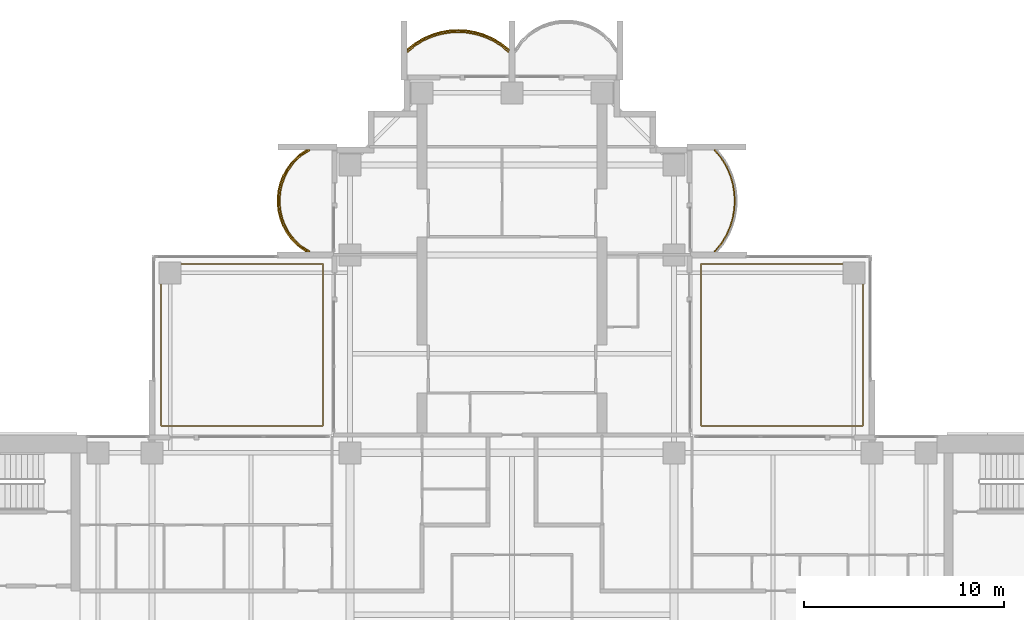
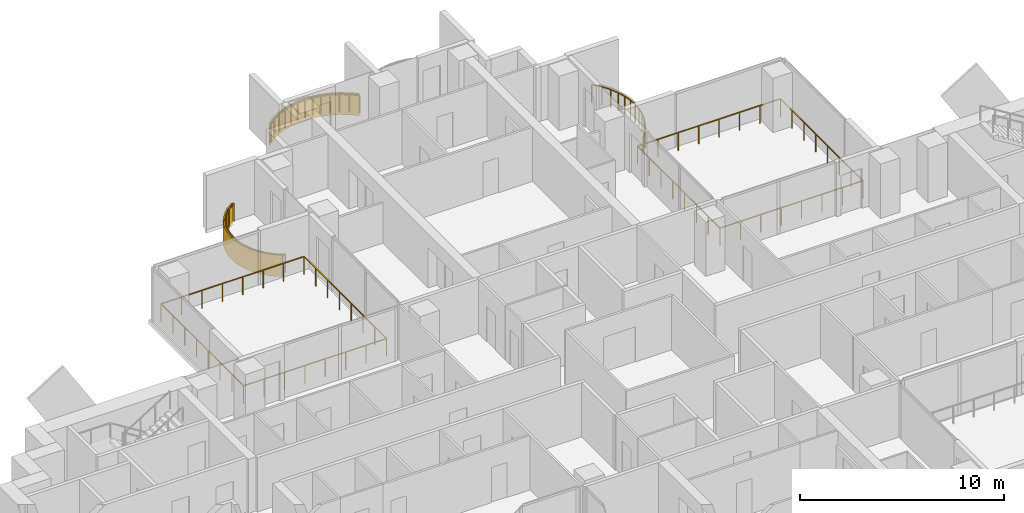
# One storey, part 18 of 19: 5 railings, 2 coverings.
"""IFC4 building model written with IfcOpenShell, lengths in metres."""

from ifc_helpers import new_model, si_unit, direction, frame, origin, origin_2d, place, context, subcontext, project, spatial, polyline, rectangle, outline, extrude, material, layer, layer_set, type_object, element, save


model = new_model("IFC4")

# Units and contexts
model_context = context("Model", 3, precision=1e-05, world=origin(), true_north=direction((0.0, 1.0)))
body_context = subcontext(model_context, "Body", "Model", "MODEL_VIEW")
ifc_project = project(units=[si_unit("LENGTHUNIT", "METRE"), si_unit("AREAUNIT", "SQUARE_METRE"), si_unit("VOLUMEUNIT", "CUBIC_METRE"), si_unit("PLANEANGLEUNIT", "RADIAN"), si_unit("MASSUNIT", "GRAM", prefix="KILO")], contexts=[model_context])

# Site, building, storey
site_placement = place(None, origin())
site = spatial("IfcSite", under=ifc_project, at=site_placement, CompositionType="ELEMENT")
building_placement = place(site_placement, origin())
building = spatial("IfcBuilding", under=site, at=building_placement, Name="Perihelion Cross Residences", CompositionType="ELEMENT")
storey_placement = place(building_placement, frame((0.0, 0.0, 137.39990234375)))
storey = spatial("IfcBuildingStorey", under=building, at=storey_placement, Name="L33", CompositionType="ELEMENT", Elevation=137.39990234375)

# Coverings
ifc_material_1 = material(Name="Bronze anodised aluminium", Category="aluminium")
ifc_layer = layer(ifc_material_1, 0.070068359375)
ifc_layer_set = layer_set([ifc_layer], Name="Balcony fascia 1300")
covering_type = type_object("IfcCoveringType", Name="Balcony fascia 1300", PredefinedType="CLADDING", material=ifc_layer_set)
covering_1_placement = place(storey_placement, frame((0.0, 0.0, -0.199951171875)))
element("IfcCovering", 1, at=covering_1_placement, inside=storey, type_object=covering_type, Name="Fascia BF1 L33 north tip north bay 2", PredefinedType="CLADDING", context=body_context, shape_type="SweptSolid", body=[
    extrude(outline(polyline([(-0.53515625, 28.59765625), (-0.96826171875, 28.85498046875), (-1.401123046875, 29.04248046875), (-1.833984375, 29.170654296875), (-2.26708984375, 29.245361328125), (-2.699951171875, 29.27001953125), (-3.133056640625, 29.245361328125), (-3.56591796875, 29.170654296875), (-3.998779296875, 29.04248046875), (-4.431884765625, 28.85498046875), (-4.86474609375, 28.59765625), (-5.25, 28.28955078125), (-5.25, 28.199951171875), (-4.824951171875, 28.5400390625), (-4.39990234375, 28.792724609375), (-3.97509765625, 28.9765625), (-3.550048828125, 29.1025390625), (-3.125, 29.17578125), (-2.699951171875, 29.199951171875), (-2.27490234375, 29.17578125), (-1.85009765625, 29.1025390625), (-1.425048828125, 28.9765625), (-1.0, 28.792724609375), (-0.574951171875, 28.5400390625), (-0.14990234375, 28.199951171875), (-0.14990234375, 28.28955078125), (-0.53515625, 28.59765625)])), origin(), (0.0, 0.0, 1.0), 1.300048828125),
])
covering_2_placement = place(storey_placement, frame((0.0, 0.0, -0.199951171875)))
element("IfcCovering", 2, at=covering_2_placement, inside=storey, type_object=covering_type, Name="Fascia BF1 L33 north side west bay 1", PredefinedType="CLADDING", context=body_context, shape_type="SweptSolid", body=[
    extrude(outline(polyline([(-10.722412109375, 22.963134765625), (-11.060791015625, 22.61474609375), (-11.308837890625, 22.2666015625), (-11.4912109375, 21.91845703125), (-11.620361328125, 21.5703125), (-11.703369140625, 21.22216796875), (-11.743896484375, 20.8740234375), (-11.743896484375, 20.52587890625), (-11.703369140625, 20.177734375), (-11.620361328125, 19.82958984375), (-11.4912109375, 19.4814453125), (-11.308837890625, 19.13330078125), (-11.060791015625, 18.78515625), (-10.722412109375, 18.43701171875), (-10.320556640625, 18.14990234375), (-10.199951171875, 18.14990234375), (-10.6767578125, 18.489990234375), (-11.007080078125, 18.830078125), (-11.2490234375, 19.169921875), (-11.42724609375, 19.510009765625), (-11.553466796875, 19.85009765625), (-11.63427734375, 20.18994140625), (-11.674072265625, 20.530029296875), (-11.674072265625, 20.8701171875), (-11.63427734375, 21.2099609375), (-11.553466796875, 21.550048828125), (-11.42724609375, 21.889892578125), (-11.2490234375, 22.22998046875), (-11.007080078125, 22.570068359375), (-10.6767578125, 22.909912109375), (-10.199951171875, 23.25), (-10.320556640625, 23.25), (-10.722412109375, 22.963134765625)])), origin(), (0.0, 0.0, 1.0), 1.300048828125),
])

# Railings
ifc_material_2 = material(Name="Bronze anodised aluminium", Category="aluminium")
railing_type = type_object("IfcRailingType", Name="Balcony guard 1100", PredefinedType="GUARDRAIL", material=ifc_material_2)
railing_1_placement = place(storey_placement, frame((10.139892578125, 18.175048828125, 0.0)))
element("IfcRailing", 3, at=railing_1_placement, inside=storey, type_object=railing_type, Name="Guard GU1 L33 north side east bay 2 balcony", PredefinedType="GUARDRAIL", context=body_context, shape_type="SweptSolid", body=[
    extrude(rectangle(XDim=0.048095703125, YDim=0.048095703125, at=origin_2d()), frame((0.0, 0.0, 1.076171875), z_axis=(0.647837396648, 0.761778647315, 0.0), x_axis=(-0.761778647315, 0.647837396648, 0.0)), (0.0, 0.0, 1.0), 0.52490234375),
    extrude(rectangle(XDim=0.048095703125, YDim=0.048095703125, at=origin_2d()), frame((0.340087890625, 0.39990234375, 1.076171875), z_axis=(0.511006381501, 0.859576918062, 0.0), x_axis=(-0.859576918062, 0.511006381501, 0.0)), (0.0, 0.0, 1.0), 0.494384765625),
    extrude(rectangle(XDim=0.048095703125, YDim=0.048095703125, at=origin_2d()), frame((0.5927734375, 0.824951171875, 1.076171875), z_axis=(0.397415137459, 0.917638931453, 0.0), x_axis=(-0.917638931453, 0.397415137459, 0.0)), (0.0, 0.0, 1.0), 0.463134765625),
    extrude(rectangle(XDim=0.048095703125, YDim=0.048095703125, at=origin_2d()), frame((0.77685546875, 1.25, 1.076171875), z_axis=(0.283656975924, 0.958925815697, 0.0), x_axis=(-0.958925815697, 0.283656975924, 0.0)), (0.0, 0.0, 1.0), 0.443359375),
    extrude(rectangle(XDim=0.048095703125, YDim=0.048095703125, at=origin_2d()), frame((0.902587890625, 1.675048828125, 1.076171875), z_axis=(0.170456843651, 0.985365142702, 0.0), x_axis=(-0.985365142702, 0.170456843651, 0.0)), (0.0, 0.0, 1.0), 0.43115234375),
    extrude(rectangle(XDim=0.048095703125, YDim=0.048095703125, at=origin_2d()), frame((0.97607421875, 2.099853515625, 1.076171875), z_axis=(0.056200523353, 0.9984195016, 0.0), x_axis=(-0.9984195016, 0.056200523353, 0.0)), (0.0, 0.0, 1.0), 0.42578125),
    extrude(rectangle(XDim=0.048095703125, YDim=0.048095703125, at=origin_2d()), frame((1.0, 2.52490234375, 1.076171875), z_axis=(-0.056200523353, 0.9984195016, 0.0), x_axis=(-0.9984195016, -0.056200523353, 0.0)), (0.0, 0.0, 1.0), 0.42578125),
    extrude(rectangle(XDim=0.048095703125, YDim=0.048095703125, at=origin_2d()), frame((0.97607421875, 2.949951171875, 1.076171875), z_axis=(-0.17036177859, 0.985381583142, 0.0), x_axis=(-0.985381583142, -0.17036177859, 0.0)), (0.0, 0.0, 1.0), 0.431396484375),
    extrude(rectangle(XDim=0.048095703125, YDim=0.048095703125, at=origin_2d()), frame((0.902587890625, 3.375, 1.076171875), z_axis=(-0.283656975924, 0.958925815697, 0.0), x_axis=(-0.958925815697, -0.283656975924, 0.0)), (0.0, 0.0, 1.0), 0.443359375),
    extrude(rectangle(XDim=0.048095703125, YDim=0.048095703125, at=origin_2d()), frame((0.77685546875, 3.800048828125, 1.076171875), z_axis=(-0.397607437634, 0.91755562531, 0.0), x_axis=(-0.91755562531, -0.397607437634, 0.0)), (0.0, 0.0, 1.0), 0.462890625),
    extrude(rectangle(XDim=0.048095703125, YDim=0.048095703125, at=origin_2d()), frame((0.5927734375, 4.224853515625, 1.076171875), z_axis=(-0.511006381501, 0.859576918062, 0.0), x_axis=(-0.859576918062, -0.511006381501, 0.0)), (0.0, 0.0, 1.0), 0.494384765625),
    extrude(rectangle(XDim=0.048095703125, YDim=0.048095703125, at=origin_2d()), frame((0.340087890625, 4.64990234375, 1.076171875), z_axis=(-0.647607934281, 0.761973728849, 0.0), x_axis=(-0.761973728849, -0.647607934281, 0.0)), (0.0, 0.0, 1.0), 0.525146484375),
    extrude(rectangle(XDim=0.0419921875, YDim=0.0419921875, at=origin_2d()), origin(), (0.0, 0.0, 1.0), 1.052001953125),
    extrude(rectangle(XDim=0.0419921875, YDim=0.0419921875, at=origin_2d()), frame((0.340087890625, 0.39990234375, 0.0)), (0.0, 0.0, 1.0), 1.052001953125),
    extrude(rectangle(XDim=0.0419921875, YDim=0.0419921875, at=origin_2d()), frame((0.5927734375, 0.824951171875, 0.0)), (0.0, 0.0, 1.0), 1.052001953125),
    extrude(rectangle(XDim=0.0419921875, YDim=0.0419921875, at=origin_2d()), frame((0.77685546875, 1.25, 0.0)), (0.0, 0.0, 1.0), 1.052001953125),
    extrude(rectangle(XDim=0.0419921875, YDim=0.0419921875, at=origin_2d()), frame((0.902587890625, 1.675048828125, 0.0)), (0.0, 0.0, 1.0), 1.052001953125),
    extrude(rectangle(XDim=0.0419921875, YDim=0.0419921875, at=origin_2d()), frame((0.97607421875, 2.099853515625, 0.0)), (0.0, 0.0, 1.0), 1.052001953125),
    extrude(rectangle(XDim=0.0419921875, YDim=0.0419921875, at=origin_2d()), frame((1.0, 2.52490234375, 0.0)), (0.0, 0.0, 1.0), 1.052001953125),
    extrude(rectangle(XDim=0.0419921875, YDim=0.0419921875, at=origin_2d()), frame((0.97607421875, 2.949951171875, 0.0)), (0.0, 0.0, 1.0), 1.052001953125),
    extrude(rectangle(XDim=0.0419921875, YDim=0.0419921875, at=origin_2d()), frame((0.902587890625, 3.375, 0.0)), (0.0, 0.0, 1.0), 1.052001953125),
    extrude(rectangle(XDim=0.0419921875, YDim=0.0419921875, at=origin_2d()), frame((0.77685546875, 3.800048828125, 0.0)), (0.0, 0.0, 1.0), 1.052001953125),
    extrude(rectangle(XDim=0.0419921875, YDim=0.0419921875, at=origin_2d()), frame((0.5927734375, 4.224853515625, 0.0)), (0.0, 0.0, 1.0), 1.052001953125),
    extrude(rectangle(XDim=0.0419921875, YDim=0.0419921875, at=origin_2d()), frame((0.340087890625, 4.64990234375, 0.0)), (0.0, 0.0, 1.0), 1.052001953125),
    extrude(rectangle(XDim=0.0419921875, YDim=0.0419921875, at=origin_2d()), frame((0.0, 5.050048828125, 0.0)), (0.0, 0.0, 1.0), 1.052001953125),
])
railing_2_placement = place(storey_placement, frame((-0.175048828125, 28.139892578125, 0.0)))
element("IfcRailing", 4, at=railing_2_placement, inside=storey, type_object=railing_type, Name="Guard GU1 L33 north tip north bay 2 balcony", PredefinedType="GUARDRAIL", context=body_context, shape_type="SweptSolid", body=[
    extrude(rectangle(XDim=0.048095703125, YDim=0.048095703125, at=origin_2d()), frame((0.0, 0.0, 1.076171875), z_axis=(-0.761778647315, 0.647837396648, 0.0), x_axis=(-0.647837396648, -0.761778647315, 0.0)), (0.0, 0.0, 1.0), 0.52490234375),
    extrude(rectangle(XDim=0.048095703125, YDim=0.048095703125, at=origin_2d()), frame((-0.39990234375, 0.340087890625, 1.076171875), z_axis=(-0.859576918062, 0.511006381501, 0.0), x_axis=(-0.511006381501, -0.859576918062, 0.0)), (0.0, 0.0, 1.0), 0.494384765625),
    extrude(rectangle(XDim=0.048095703125, YDim=0.048095703125, at=origin_2d()), frame((-0.824951171875, 0.5927734375, 1.076171875), z_axis=(-0.917638931453, 0.397415137459, 0.0), x_axis=(-0.397415137459, -0.917638931453, 0.0)), (0.0, 0.0, 1.0), 0.463134765625),
    extrude(rectangle(XDim=0.048095703125, YDim=0.048095703125, at=origin_2d()), frame((-1.25, 0.77685546875, 1.076171875), z_axis=(-0.958925815697, 0.283656975924, 0.0), x_axis=(-0.283656975924, -0.958925815697, 0.0)), (0.0, 0.0, 1.0), 0.443359375),
    extrude(rectangle(XDim=0.048095703125, YDim=0.048095703125, at=origin_2d()), frame((-1.675048828125, 0.902587890625, 1.076171875), z_axis=(-0.985365142702, 0.170456843651, 0.0), x_axis=(-0.170456843651, -0.985365142702, 0.0)), (0.0, 0.0, 1.0), 0.43115234375),
    extrude(rectangle(XDim=0.048095703125, YDim=0.048095703125, at=origin_2d()), frame((-2.099853515625, 0.97607421875, 1.076171875), z_axis=(-0.9984195016, 0.056200523353, 0.0), x_axis=(-0.056200523353, -0.9984195016, 0.0)), (0.0, 0.0, 1.0), 0.42578125),
    extrude(rectangle(XDim=0.048095703125, YDim=0.048095703125, at=origin_2d()), frame((-2.52490234375, 1.0, 1.076171875), z_axis=(-0.9984195016, -0.056200523353, 0.0), x_axis=(0.056200523353, -0.9984195016, 0.0)), (0.0, 0.0, 1.0), 0.42578125),
    extrude(rectangle(XDim=0.048095703125, YDim=0.048095703125, at=origin_2d()), frame((-2.949951171875, 0.97607421875, 1.076171875), z_axis=(-0.985381583142, -0.17036177859, 0.0), x_axis=(0.17036177859, -0.985381583142, 0.0)), (0.0, 0.0, 1.0), 0.431396484375),
    extrude(rectangle(XDim=0.048095703125, YDim=0.048095703125, at=origin_2d()), frame((-3.375, 0.902587890625, 1.076171875), z_axis=(-0.958925815697, -0.283656975924, 0.0), x_axis=(0.283656975924, -0.958925815697, 0.0)), (0.0, 0.0, 1.0), 0.443359375),
    extrude(rectangle(XDim=0.048095703125, YDim=0.048095703125, at=origin_2d()), frame((-3.800048828125, 0.77685546875, 1.076171875), z_axis=(-0.91755562531, -0.397607437634, 0.0), x_axis=(0.397607437634, -0.91755562531, 0.0)), (0.0, 0.0, 1.0), 0.462890625),
    extrude(rectangle(XDim=0.048095703125, YDim=0.048095703125, at=origin_2d()), frame((-4.224853515625, 0.5927734375, 1.076171875), z_axis=(-0.859576918062, -0.511006381501, 0.0), x_axis=(0.511006381501, -0.859576918062, 0.0)), (0.0, 0.0, 1.0), 0.494384765625),
    extrude(rectangle(XDim=0.048095703125, YDim=0.048095703125, at=origin_2d()), frame((-4.64990234375, 0.340087890625, 1.076171875), z_axis=(-0.761973728849, -0.647607934281, 0.0), x_axis=(0.647607934281, -0.761973728849, 0.0)), (0.0, 0.0, 1.0), 0.525146484375),
    extrude(rectangle(XDim=0.0419921875, YDim=0.0419921875, at=origin_2d()), origin(), (0.0, 0.0, 1.0), 1.052001953125),
    extrude(rectangle(XDim=0.0419921875, YDim=0.0419921875, at=origin_2d()), frame((-0.39990234375, 0.340087890625, 0.0)), (0.0, 0.0, 1.0), 1.052001953125),
    extrude(rectangle(XDim=0.0419921875, YDim=0.0419921875, at=origin_2d()), frame((-0.824951171875, 0.5927734375, 0.0)), (0.0, 0.0, 1.0), 1.052001953125),
    extrude(rectangle(XDim=0.0419921875, YDim=0.0419921875, at=origin_2d()), frame((-1.25, 0.77685546875, 0.0)), (0.0, 0.0, 1.0), 1.052001953125),
    extrude(rectangle(XDim=0.0419921875, YDim=0.0419921875, at=origin_2d()), frame((-1.675048828125, 0.902587890625, 0.0)), (0.0, 0.0, 1.0), 1.052001953125),
    extrude(rectangle(XDim=0.0419921875, YDim=0.0419921875, at=origin_2d()), frame((-2.099853515625, 0.97607421875, 0.0)), (0.0, 0.0, 1.0), 1.052001953125),
    extrude(rectangle(XDim=0.0419921875, YDim=0.0419921875, at=origin_2d()), frame((-2.52490234375, 1.0, 0.0)), (0.0, 0.0, 1.0), 1.052001953125),
    extrude(rectangle(XDim=0.0419921875, YDim=0.0419921875, at=origin_2d()), frame((-2.949951171875, 0.97607421875, 0.0)), (0.0, 0.0, 1.0), 1.052001953125),
    extrude(rectangle(XDim=0.0419921875, YDim=0.0419921875, at=origin_2d()), frame((-3.375, 0.902587890625, 0.0)), (0.0, 0.0, 1.0), 1.052001953125),
    extrude(rectangle(XDim=0.0419921875, YDim=0.0419921875, at=origin_2d()), frame((-3.800048828125, 0.77685546875, 0.0)), (0.0, 0.0, 1.0), 1.052001953125),
    extrude(rectangle(XDim=0.0419921875, YDim=0.0419921875, at=origin_2d()), frame((-4.224853515625, 0.5927734375, 0.0)), (0.0, 0.0, 1.0), 1.052001953125),
    extrude(rectangle(XDim=0.0419921875, YDim=0.0419921875, at=origin_2d()), frame((-4.64990234375, 0.340087890625, 0.0)), (0.0, 0.0, 1.0), 1.052001953125),
    extrude(rectangle(XDim=0.0419921875, YDim=0.0419921875, at=origin_2d()), frame((-5.050048828125, 0.0, 0.0)), (0.0, 0.0, 1.0), 1.052001953125),
])
railing_3_placement = place(storey_placement, frame((-10.139892578125, 23.22509765625, 0.0)))
element("IfcRailing", 5, at=railing_3_placement, inside=storey, type_object=railing_type, Name="Guard GU1 L33 north side west bay 1 balcony", PredefinedType="GUARDRAIL", context=body_context, shape_type="SweptSolid", body=[
    extrude(rectangle(XDim=0.048095703125, YDim=0.048095703125, at=origin_2d()), frame((0.0, 0.0, 1.076171875), z_axis=(-0.834212513801, -0.55144309028, 0.0), x_axis=(0.55144309028, -0.834212513801, 0.0)), (0.0, 0.0, 1.0), 0.571533203125),
    extrude(rectangle(XDim=0.048095703125, YDim=0.048095703125, at=origin_2d()), frame((-0.476806640625, -0.315185546875, 1.076171875), z_axis=(-0.696990112603, -0.717080736691, 0.0), x_axis=(0.717080736691, -0.696990112603, 0.0)), (0.0, 0.0, 1.0), 0.473876953125),
    extrude(rectangle(XDim=0.048095703125, YDim=0.048095703125, at=origin_2d()), frame((-0.80712890625, -0.655029296875, 1.076171875), z_axis=(-0.580075995532, -0.814562360662, 0.0), x_axis=(0.814562360662, -0.580075995532, 0.0)), (0.0, 0.0, 1.0), 0.41748046875),
    extrude(rectangle(XDim=0.048095703125, YDim=0.048095703125, at=origin_2d()), frame((-1.04931640625, -0.9951171875, 1.076171875), z_axis=(-0.463674228502, -0.886005761733, 0.0), x_axis=(0.886005761733, -0.463674228502, 0.0)), (0.0, 0.0, 1.0), 0.3837890625),
    extrude(rectangle(XDim=0.048095703125, YDim=0.048095703125, at=origin_2d()), frame((-1.227294921875, -1.335205078125, 1.076171875), z_axis=(-0.348169621027, -0.937431552165, 0.0), x_axis=(0.937431552165, -0.348169621027, 0.0)), (0.0, 0.0, 1.0), 0.362548828125),
    extrude(rectangle(XDim=0.048095703125, YDim=0.048095703125, at=origin_2d()), frame((-1.353515625, -1.675048828125, 1.076171875), z_axis=(-0.231840805498, -0.972753741142, 0.0), x_axis=(0.972753741142, -0.231840805498, 0.0)), (0.0, 0.0, 1.0), 0.349609375),
    extrude(rectangle(XDim=0.048095703125, YDim=0.048095703125, at=origin_2d()), frame((-1.4345703125, -2.01513671875, 1.076171875), z_axis=(-0.11559909788, -0.993295952156, 0.0), x_axis=(0.993295952156, -0.11559909788, 0.0)), (0.0, 0.0, 1.0), 0.342041015625),
    extrude(rectangle(XDim=0.048095703125, YDim=0.048095703125, at=origin_2d()), frame((-1.47412109375, -2.35498046875, 1.076171875), z_axis=(0.0, -1.0, 0.0), x_axis=(1.0, 0.0, 0.0)), (0.0, 0.0, 1.0), 0.340087890625),
    extrude(rectangle(XDim=0.048095703125, YDim=0.048095703125, at=origin_2d()), frame((-1.47412109375, -2.695068359375, 1.076171875), z_axis=(0.11551721994, -0.993305477634, 0.0), x_axis=(0.993305477634, 0.11551721994, 0.0)), (0.0, 0.0, 1.0), 0.34228515625),
    extrude(rectangle(XDim=0.048095703125, YDim=0.048095703125, at=origin_2d()), frame((-1.4345703125, -3.03515625, 1.076171875), z_axis=(0.231998396458, -0.972716168284, 0.0), x_axis=(0.972716168284, 0.231998396458, 0.0)), (0.0, 0.0, 1.0), 0.349365234375),
    extrude(rectangle(XDim=0.048095703125, YDim=0.048095703125, at=origin_2d()), frame((-1.353515625, -3.375, 1.076171875), z_axis=(0.347949948587, -0.93751311099, 0.0), x_axis=(0.93751311099, 0.347949948587, 0.0)), (0.0, 0.0, 1.0), 0.36279296875),
    extrude(rectangle(XDim=0.048095703125, YDim=0.048095703125, at=origin_2d()), frame((-1.227294921875, -3.715087890625, 1.076171875), z_axis=(0.463674228502, -0.886005761733, 0.0), x_axis=(0.886005761733, 0.463674228502, 0.0)), (0.0, 0.0, 1.0), 0.3837890625),
    extrude(rectangle(XDim=0.048095703125, YDim=0.048095703125, at=origin_2d()), frame((-1.04931640625, -4.05517578125, 1.076171875), z_axis=(0.580352394782, -0.814365457194, 0.0), x_axis=(0.814365457194, 0.580352394782, 0.0)), (0.0, 0.0, 1.0), 0.417236328125),
    extrude(rectangle(XDim=0.048095703125, YDim=0.048095703125, at=origin_2d()), frame((-0.80712890625, -4.39501953125, 1.076171875), z_axis=(0.69673269466, -0.717330852669, 0.0), x_axis=(0.717330852669, 0.69673269466, 0.0)), (0.0, 0.0, 1.0), 0.47412109375),
    extrude(rectangle(XDim=0.048095703125, YDim=0.048095703125, at=origin_2d()), frame((-0.476806640625, -4.735107421875, 1.076171875), z_axis=(0.834409002258, -0.551145731138, 0.0), x_axis=(0.551145731138, 0.834409002258, 0.0)), (0.0, 0.0, 1.0), 0.571533203125),
    extrude(rectangle(XDim=0.0419921875, YDim=0.0419921875, at=origin_2d()), origin(), (0.0, 0.0, 1.0), 1.052001953125),
    extrude(rectangle(XDim=0.0419921875, YDim=0.0419921875, at=origin_2d()), frame((-0.476806640625, -0.315185546875, 0.0)), (0.0, 0.0, 1.0), 1.052001953125),
    extrude(rectangle(XDim=0.0419921875, YDim=0.0419921875, at=origin_2d()), frame((-0.80712890625, -0.655029296875, 0.0)), (0.0, 0.0, 1.0), 1.052001953125),
    extrude(rectangle(XDim=0.0419921875, YDim=0.0419921875, at=origin_2d()), frame((-1.04931640625, -0.9951171875, 0.0)), (0.0, 0.0, 1.0), 1.052001953125),
    extrude(rectangle(XDim=0.0419921875, YDim=0.0419921875, at=origin_2d()), frame((-1.227294921875, -1.335205078125, 0.0)), (0.0, 0.0, 1.0), 1.052001953125),
    extrude(rectangle(XDim=0.0419921875, YDim=0.0419921875, at=origin_2d()), frame((-1.353515625, -1.675048828125, 0.0)), (0.0, 0.0, 1.0), 1.052001953125),
    extrude(rectangle(XDim=0.0419921875, YDim=0.0419921875, at=origin_2d()), frame((-1.4345703125, -2.01513671875, 0.0)), (0.0, 0.0, 1.0), 1.052001953125),
    extrude(rectangle(XDim=0.0419921875, YDim=0.0419921875, at=origin_2d()), frame((-1.47412109375, -2.35498046875, 0.0)), (0.0, 0.0, 1.0), 1.052001953125),
    extrude(rectangle(XDim=0.0419921875, YDim=0.0419921875, at=origin_2d()), frame((-1.47412109375, -2.695068359375, 0.0)), (0.0, 0.0, 1.0), 1.052001953125),
    extrude(rectangle(XDim=0.0419921875, YDim=0.0419921875, at=origin_2d()), frame((-1.4345703125, -3.03515625, 0.0)), (0.0, 0.0, 1.0), 1.052001953125),
    extrude(rectangle(XDim=0.0419921875, YDim=0.0419921875, at=origin_2d()), frame((-1.353515625, -3.375, 0.0)), (0.0, 0.0, 1.0), 1.052001953125),
    extrude(rectangle(XDim=0.0419921875, YDim=0.0419921875, at=origin_2d()), frame((-1.227294921875, -3.715087890625, 0.0)), (0.0, 0.0, 1.0), 1.052001953125),
    extrude(rectangle(XDim=0.0419921875, YDim=0.0419921875, at=origin_2d()), frame((-1.04931640625, -4.05517578125, 0.0)), (0.0, 0.0, 1.0), 1.052001953125),
    extrude(rectangle(XDim=0.0419921875, YDim=0.0419921875, at=origin_2d()), frame((-0.80712890625, -4.39501953125, 0.0)), (0.0, 0.0, 1.0), 1.052001953125),
    extrude(rectangle(XDim=0.0419921875, YDim=0.0419921875, at=origin_2d()), frame((-0.476806640625, -4.735107421875, 0.0)), (0.0, 0.0, 1.0), 1.052001953125),
    extrude(rectangle(XDim=0.0419921875, YDim=0.0419921875, at=origin_2d()), frame((0.0, -5.050048828125, 0.0)), (0.0, 0.0, 1.0), 1.052001953125),
])
railing_4_placement = place(storey_placement, frame((17.550048828125, 9.449951171875, 0.0)))
element("IfcRailing", 6, at=railing_4_placement, inside=storey, type_object=railing_type, Name="Guard GU1 L33 pocket north-east 1", PredefinedType="GUARDRAIL", context=body_context, shape_type="SweptSolid", body=[
    extrude(rectangle(XDim=0.048095703125, YDim=0.048095703125, at=origin_2d()), frame((0.0, 0.0, 1.076171875), z_axis=(-1.0, 0.0, 0.0), x_axis=(0.0, -1.0, 0.0)), (0.0, 0.0, 1.0), 8.10009765625),
    extrude(rectangle(XDim=0.048095703125, YDim=0.048095703125, at=origin_2d()), frame((-8.10009765625, 0.0, 1.076171875), z_axis=(0.0, 1.0, 0.0), x_axis=(-1.0, 0.0, 0.0)), (0.0, 0.0, 1.0), 8.10009765625),
    extrude(rectangle(XDim=0.048095703125, YDim=0.048095703125, at=origin_2d()), frame((-8.10009765625, 8.10009765625, 1.076171875), z_axis=(1.0, 0.0, 0.0), x_axis=(0.0, 1.0, 0.0)), (0.0, 0.0, 1.0), 8.10009765625),
    extrude(rectangle(XDim=0.048095703125, YDim=0.048095703125, at=origin_2d()), frame((0.0, 8.10009765625, 1.076171875), z_axis=(0.0, -1.0, 0.0), x_axis=(1.0, 0.0, 0.0)), (0.0, 0.0, 1.0), 8.10009765625),
    extrude(rectangle(XDim=0.0419921875, YDim=0.0419921875, at=origin_2d()), origin(), (0.0, 0.0, 1.0), 1.052001953125),
    extrude(rectangle(XDim=0.0419921875, YDim=0.0419921875, at=origin_2d()), frame((-1.1572265625, 0.0, 0.0)), (0.0, 0.0, 1.0), 1.052001953125),
    extrude(rectangle(XDim=0.0419921875, YDim=0.0419921875, at=origin_2d()), frame((-2.314208984375, 0.0, 0.0)), (0.0, 0.0, 1.0), 1.052001953125),
    extrude(rectangle(XDim=0.0419921875, YDim=0.0419921875, at=origin_2d()), frame((-3.471435546875, 0.0, 0.0)), (0.0, 0.0, 1.0), 1.052001953125),
    extrude(rectangle(XDim=0.0419921875, YDim=0.0419921875, at=origin_2d()), frame((-4.628662109375, 0.0, 0.0)), (0.0, 0.0, 1.0), 1.052001953125),
    extrude(rectangle(XDim=0.0419921875, YDim=0.0419921875, at=origin_2d()), frame((-5.785888671875, 0.0, 0.0)), (0.0, 0.0, 1.0), 1.052001953125),
    extrude(rectangle(XDim=0.0419921875, YDim=0.0419921875, at=origin_2d()), frame((-6.94287109375, 0.0, 0.0)), (0.0, 0.0, 1.0), 1.052001953125),
    extrude(rectangle(XDim=0.0419921875, YDim=0.0419921875, at=origin_2d()), frame((-8.10009765625, 0.0, 0.0)), (0.0, 0.0, 1.0), 1.052001953125),
    extrude(rectangle(XDim=0.0419921875, YDim=0.0419921875, at=origin_2d()), frame((-8.10009765625, 1.1572265625, 0.0)), (0.0, 0.0, 1.0), 1.052001953125),
    extrude(rectangle(XDim=0.0419921875, YDim=0.0419921875, at=origin_2d()), frame((-8.10009765625, 2.314208984375, 0.0)), (0.0, 0.0, 1.0), 1.052001953125),
    extrude(rectangle(XDim=0.0419921875, YDim=0.0419921875, at=origin_2d()), frame((-8.10009765625, 3.471435546875, 0.0)), (0.0, 0.0, 1.0), 1.052001953125),
    extrude(rectangle(XDim=0.0419921875, YDim=0.0419921875, at=origin_2d()), frame((-8.10009765625, 4.628662109375, 0.0)), (0.0, 0.0, 1.0), 1.052001953125),
    extrude(rectangle(XDim=0.0419921875, YDim=0.0419921875, at=origin_2d()), frame((-8.10009765625, 5.785888671875, 0.0)), (0.0, 0.0, 1.0), 1.052001953125),
    extrude(rectangle(XDim=0.0419921875, YDim=0.0419921875, at=origin_2d()), frame((-8.10009765625, 6.94287109375, 0.0)), (0.0, 0.0, 1.0), 1.052001953125),
    extrude(rectangle(XDim=0.0419921875, YDim=0.0419921875, at=origin_2d()), frame((-8.10009765625, 8.10009765625, 0.0)), (0.0, 0.0, 1.0), 1.052001953125),
    extrude(rectangle(XDim=0.0419921875, YDim=0.0419921875, at=origin_2d()), frame((-6.94287109375, 8.10009765625, 0.0)), (0.0, 0.0, 1.0), 1.052001953125),
    extrude(rectangle(XDim=0.0419921875, YDim=0.0419921875, at=origin_2d()), frame((-5.785888671875, 8.10009765625, 0.0)), (0.0, 0.0, 1.0), 1.052001953125),
    extrude(rectangle(XDim=0.0419921875, YDim=0.0419921875, at=origin_2d()), frame((-4.628662109375, 8.10009765625, 0.0)), (0.0, 0.0, 1.0), 1.052001953125),
    extrude(rectangle(XDim=0.0419921875, YDim=0.0419921875, at=origin_2d()), frame((-3.471435546875, 8.10009765625, 0.0)), (0.0, 0.0, 1.0), 1.052001953125),
    extrude(rectangle(XDim=0.0419921875, YDim=0.0419921875, at=origin_2d()), frame((-2.314208984375, 8.10009765625, 0.0)), (0.0, 0.0, 1.0), 1.052001953125),
    extrude(rectangle(XDim=0.0419921875, YDim=0.0419921875, at=origin_2d()), frame((-1.1572265625, 8.10009765625, 0.0)), (0.0, 0.0, 1.0), 1.052001953125),
    extrude(rectangle(XDim=0.0419921875, YDim=0.0419921875, at=origin_2d()), frame((0.0, 8.10009765625, 0.0)), (0.0, 0.0, 1.0), 1.052001953125),
    extrude(rectangle(XDim=0.0419921875, YDim=0.0419921875, at=origin_2d()), frame((0.0, 6.94287109375, 0.0)), (0.0, 0.0, 1.0), 1.052001953125),
    extrude(rectangle(XDim=0.0419921875, YDim=0.0419921875, at=origin_2d()), frame((0.0, 5.785888671875, 0.0)), (0.0, 0.0, 1.0), 1.052001953125),
    extrude(rectangle(XDim=0.0419921875, YDim=0.0419921875, at=origin_2d()), frame((0.0, 4.628662109375, 0.0)), (0.0, 0.0, 1.0), 1.052001953125),
    extrude(rectangle(XDim=0.0419921875, YDim=0.0419921875, at=origin_2d()), frame((0.0, 3.471435546875, 0.0)), (0.0, 0.0, 1.0), 1.052001953125),
    extrude(rectangle(XDim=0.0419921875, YDim=0.0419921875, at=origin_2d()), frame((0.0, 2.314208984375, 0.0)), (0.0, 0.0, 1.0), 1.052001953125),
    extrude(rectangle(XDim=0.0419921875, YDim=0.0419921875, at=origin_2d()), frame((0.0, 1.1572265625, 0.0)), (0.0, 0.0, 1.0), 1.052001953125),
])
railing_5_placement = place(storey_placement, frame((-9.449951171875, 9.449951171875, 0.0)))
element("IfcRailing", 7, at=railing_5_placement, inside=storey, type_object=railing_type, Name="Guard GU1 L33 pocket north-west 1", PredefinedType="GUARDRAIL", context=body_context, shape_type="SweptSolid", body=[
    extrude(rectangle(XDim=0.048095703125, YDim=0.048095703125, at=origin_2d()), frame((0.0, 0.0, 1.076171875), z_axis=(-1.0, 0.0, 0.0), x_axis=(0.0, -1.0, 0.0)), (0.0, 0.0, 1.0), 8.10009765625),
    extrude(rectangle(XDim=0.048095703125, YDim=0.048095703125, at=origin_2d()), frame((-8.10009765625, 0.0, 1.076171875), z_axis=(0.0, 1.0, 0.0), x_axis=(-1.0, 0.0, 0.0)), (0.0, 0.0, 1.0), 8.10009765625),
    extrude(rectangle(XDim=0.048095703125, YDim=0.048095703125, at=origin_2d()), frame((-8.10009765625, 8.10009765625, 1.076171875), z_axis=(1.0, 0.0, 0.0), x_axis=(0.0, 1.0, 0.0)), (0.0, 0.0, 1.0), 8.10009765625),
    extrude(rectangle(XDim=0.048095703125, YDim=0.048095703125, at=origin_2d()), frame((0.0, 8.10009765625, 1.076171875), z_axis=(0.0, -1.0, 0.0), x_axis=(1.0, 0.0, 0.0)), (0.0, 0.0, 1.0), 8.10009765625),
    extrude(rectangle(XDim=0.0419921875, YDim=0.0419921875, at=origin_2d()), origin(), (0.0, 0.0, 1.0), 1.052001953125),
    extrude(rectangle(XDim=0.0419921875, YDim=0.0419921875, at=origin_2d()), frame((-1.1572265625, 0.0, 0.0)), (0.0, 0.0, 1.0), 1.052001953125),
    extrude(rectangle(XDim=0.0419921875, YDim=0.0419921875, at=origin_2d()), frame((-2.314208984375, 0.0, 0.0)), (0.0, 0.0, 1.0), 1.052001953125),
    extrude(rectangle(XDim=0.0419921875, YDim=0.0419921875, at=origin_2d()), frame((-3.471435546875, 0.0, 0.0)), (0.0, 0.0, 1.0), 1.052001953125),
    extrude(rectangle(XDim=0.0419921875, YDim=0.0419921875, at=origin_2d()), frame((-4.628662109375, 0.0, 0.0)), (0.0, 0.0, 1.0), 1.052001953125),
    extrude(rectangle(XDim=0.0419921875, YDim=0.0419921875, at=origin_2d()), frame((-5.785888671875, 0.0, 0.0)), (0.0, 0.0, 1.0), 1.052001953125),
    extrude(rectangle(XDim=0.0419921875, YDim=0.0419921875, at=origin_2d()), frame((-6.94287109375, 0.0, 0.0)), (0.0, 0.0, 1.0), 1.052001953125),
    extrude(rectangle(XDim=0.0419921875, YDim=0.0419921875, at=origin_2d()), frame((-8.10009765625, 0.0, 0.0)), (0.0, 0.0, 1.0), 1.052001953125),
    extrude(rectangle(XDim=0.0419921875, YDim=0.0419921875, at=origin_2d()), frame((-8.10009765625, 1.1572265625, 0.0)), (0.0, 0.0, 1.0), 1.052001953125),
    extrude(rectangle(XDim=0.0419921875, YDim=0.0419921875, at=origin_2d()), frame((-8.10009765625, 2.314208984375, 0.0)), (0.0, 0.0, 1.0), 1.052001953125),
    extrude(rectangle(XDim=0.0419921875, YDim=0.0419921875, at=origin_2d()), frame((-8.10009765625, 3.471435546875, 0.0)), (0.0, 0.0, 1.0), 1.052001953125),
    extrude(rectangle(XDim=0.0419921875, YDim=0.0419921875, at=origin_2d()), frame((-8.10009765625, 4.628662109375, 0.0)), (0.0, 0.0, 1.0), 1.052001953125),
    extrude(rectangle(XDim=0.0419921875, YDim=0.0419921875, at=origin_2d()), frame((-8.10009765625, 5.785888671875, 0.0)), (0.0, 0.0, 1.0), 1.052001953125),
    extrude(rectangle(XDim=0.0419921875, YDim=0.0419921875, at=origin_2d()), frame((-8.10009765625, 6.94287109375, 0.0)), (0.0, 0.0, 1.0), 1.052001953125),
    extrude(rectangle(XDim=0.0419921875, YDim=0.0419921875, at=origin_2d()), frame((-8.10009765625, 8.10009765625, 0.0)), (0.0, 0.0, 1.0), 1.052001953125),
    extrude(rectangle(XDim=0.0419921875, YDim=0.0419921875, at=origin_2d()), frame((-6.94287109375, 8.10009765625, 0.0)), (0.0, 0.0, 1.0), 1.052001953125),
    extrude(rectangle(XDim=0.0419921875, YDim=0.0419921875, at=origin_2d()), frame((-5.785888671875, 8.10009765625, 0.0)), (0.0, 0.0, 1.0), 1.052001953125),
    extrude(rectangle(XDim=0.0419921875, YDim=0.0419921875, at=origin_2d()), frame((-4.628662109375, 8.10009765625, 0.0)), (0.0, 0.0, 1.0), 1.052001953125),
    extrude(rectangle(XDim=0.0419921875, YDim=0.0419921875, at=origin_2d()), frame((-3.471435546875, 8.10009765625, 0.0)), (0.0, 0.0, 1.0), 1.052001953125),
    extrude(rectangle(XDim=0.0419921875, YDim=0.0419921875, at=origin_2d()), frame((-2.314208984375, 8.10009765625, 0.0)), (0.0, 0.0, 1.0), 1.052001953125),
    extrude(rectangle(XDim=0.0419921875, YDim=0.0419921875, at=origin_2d()), frame((-1.1572265625, 8.10009765625, 0.0)), (0.0, 0.0, 1.0), 1.052001953125),
    extrude(rectangle(XDim=0.0419921875, YDim=0.0419921875, at=origin_2d()), frame((0.0, 8.10009765625, 0.0)), (0.0, 0.0, 1.0), 1.052001953125),
    extrude(rectangle(XDim=0.0419921875, YDim=0.0419921875, at=origin_2d()), frame((0.0, 6.94287109375, 0.0)), (0.0, 0.0, 1.0), 1.052001953125),
    extrude(rectangle(XDim=0.0419921875, YDim=0.0419921875, at=origin_2d()), frame((0.0, 5.785888671875, 0.0)), (0.0, 0.0, 1.0), 1.052001953125),
    extrude(rectangle(XDim=0.0419921875, YDim=0.0419921875, at=origin_2d()), frame((0.0, 4.628662109375, 0.0)), (0.0, 0.0, 1.0), 1.052001953125),
    extrude(rectangle(XDim=0.0419921875, YDim=0.0419921875, at=origin_2d()), frame((0.0, 3.471435546875, 0.0)), (0.0, 0.0, 1.0), 1.052001953125),
    extrude(rectangle(XDim=0.0419921875, YDim=0.0419921875, at=origin_2d()), frame((0.0, 2.314208984375, 0.0)), (0.0, 0.0, 1.0), 1.052001953125),
    extrude(rectangle(XDim=0.0419921875, YDim=0.0419921875, at=origin_2d()), frame((0.0, 1.1572265625, 0.0)), (0.0, 0.0, 1.0), 1.052001953125),
])

save(model, "model.ifc")
